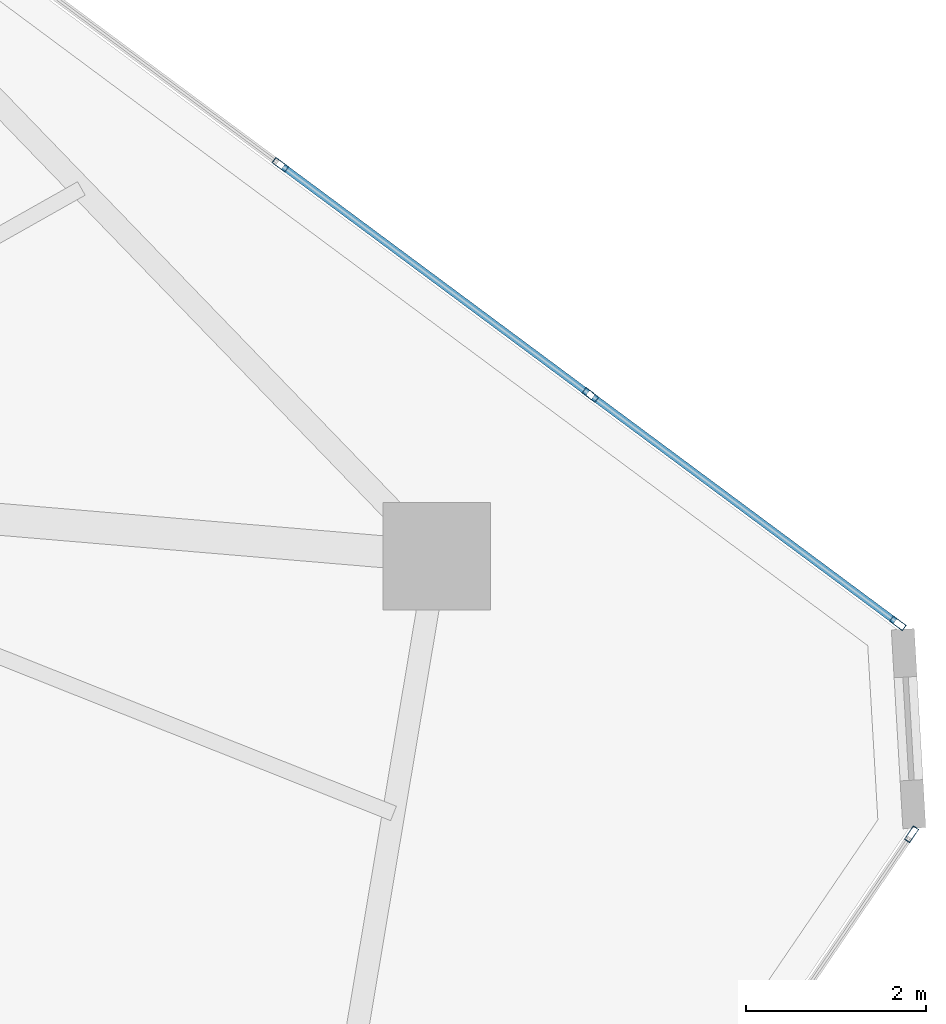
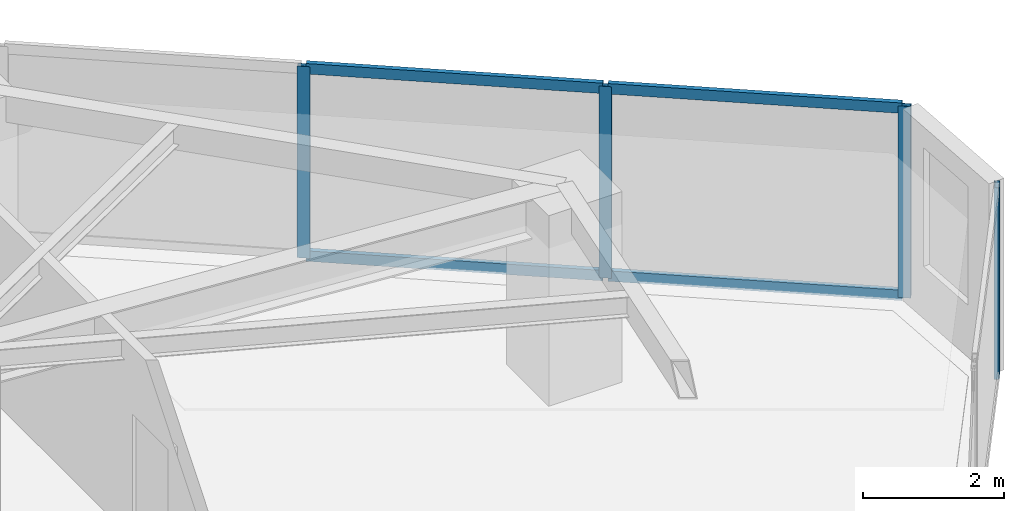
# One storey, part 13 of 22: 8 members, 2 elements without a shape of their own.
"""IFC4 building model written with IfcOpenShell, lengths in metres."""

from ifc_helpers import new_model, si_unit, direction, frame, origin, origin_2d, place, context, subcontext, project, spatial, hollow_rectangle, extrude, source, transform, mapped, material, layer, layer_set, material_profile, profile_set, type_object, type_shapes, element, aggregate, save


model = new_model("IFC4")

# Units and contexts
model_context = context("Model", 3, precision=1e-05, world=origin(), true_north=direction((0.0, 1.0)))
body_context = subcontext(model_context, "Body", "Model", "MODEL_VIEW")
ifc_project = project(units=[si_unit("LENGTHUNIT", "METRE"), si_unit("AREAUNIT", "SQUARE_METRE"), si_unit("VOLUMEUNIT", "CUBIC_METRE"), si_unit("PLANEANGLEUNIT", "RADIAN"), si_unit("MASSUNIT", "GRAM", prefix="KILO")], contexts=[model_context])

# Site, building, storey
site_placement = place(None, origin())
site = spatial("IfcSite", under=ifc_project, at=site_placement, CompositionType="ELEMENT")
building_placement = place(site_placement, origin())
building = spatial("IfcBuilding", under=site, at=building_placement, Name="Talar Marvaseh", CompositionType="ELEMENT")
storey_placement = place(building_placement, frame((0.0, 0.0, 125.39990234375)))
storey = spatial("IfcBuildingStorey", under=building, at=storey_placement, Name="L32", CompositionType="ELEMENT", Elevation=125.39990234375)

# Curtain wall, members
ifc_material = material(Name="Architectural Aluminium", Category="aluminium")
ifc_layer = layer(ifc_material, 0.199951171875)
ifc_layer_set = layer_set([ifc_layer], Name="Architectural Aluminium")
curtain_wall_type = type_object("IfcCurtainWallType", Name="Unitised Acoustic Library Curtain Wall Z2", PredefinedType="NOTDEFINED", material=ifc_layer_set)
curtain_wall_1_placement = place(storey_placement, origin())
curtain_wall_1 = element("IfcCurtainWall", 1, at=curtain_wall_1_placement, inside=storey, type_object=curtain_wall_type, Name="L32 Unitised Acoustic Library Curtain Wall Z2", PredefinedType="NOTDEFINED")
ifc_material_profile_1 = material_profile(ifc_material, hollow_rectangle(XDim=0.074951171875, YDim=0.179931640625, WallThickness=0.0048828125, at=origin_2d()), Name="RHS180x75x5")
ifc_profile_set_1 = profile_set([ifc_material_profile_1], Name="Architectural Aluminium")
member_type_1 = type_object("IfcMemberType", Name="Unitised Curtain Wall Standard Mullion RHS180x75x5", PredefinedType="MULLION", material=ifc_profile_set_1)
shared_shape_1 = source(origin(), body_context, "Body", "SweptSolid", [
    extrude(hollow_rectangle(XDim=0.074951171875, YDim=0.179931640625, WallThickness=0.0048828125, at=origin_2d()), origin(), (0.0, 0.0, 1.0), 3.31005859375),
])
type_shapes(member_type_1, [shared_shape_1])
member_1_placement = place(storey_placement, frame((41.30419921875, 40.433349609375, 0.0), z_axis=(0.0, 0.0, 1.0), x_axis=(0.596169880274, 0.802858314931, 0.0)))
member_1 = element("IfcMember", 2, at=member_1_placement, type_object=member_type_1, Name="CW-Z2 mullion 3", PredefinedType="MULLION", context=body_context, shape_type="MappedRepresentation", body=[
    mapped(shared_shape_1, transform((0.0, 0.0, 0.0), x_axis=(1.0, 0.0, 0.0), y_axis=(0.0, 1.0, 0.0), z_axis=(0.0, 0.0, 1.0), scale=1.0)),
])
member_2_placement = place(storey_placement, frame((44.7548828125, 37.87109375, 0.0), z_axis=(0.0, 0.0, 1.0), x_axis=(0.596169880274, 0.802858314931, 0.0)))
member_2 = element("IfcMember", 3, at=member_2_placement, type_object=member_type_1, Name="CW-Z2 mullion 4", PredefinedType="MULLION", context=body_context, shape_type="MappedRepresentation", body=[
    mapped(shared_shape_1, transform((0.0, 0.0, 0.0), x_axis=(1.0, 0.0, 0.0), y_axis=(0.0, 1.0, 0.0), z_axis=(0.0, 0.0, 1.0), scale=1.0)),
])
member_3_placement = place(storey_placement, frame((48.17529296875, 35.3310546875, 0.0), z_axis=(0.0, 0.0, 1.0), x_axis=(0.596169880274, 0.802858314931, 0.0)))
member_3 = element("IfcMember", 4, at=member_3_placement, type_object=member_type_1, Name="CW-Z2 mullion 5", PredefinedType="MULLION", context=body_context, shape_type="MappedRepresentation", body=[
    mapped(shared_shape_1, transform((0.0, 0.0, 0.0), x_axis=(1.0, 0.0, 0.0), y_axis=(0.0, 1.0, 0.0), z_axis=(0.0, 0.0, 1.0), scale=1.0)),
])

# Curtain wall, member
curtain_wall_2_placement = place(storey_placement, origin())
curtain_wall_2 = element("IfcCurtainWall", 5, at=curtain_wall_2_placement, inside=storey, type_object=curtain_wall_type, Name="L32 Unitised Acoustic Library Curtain Wall Z2", PredefinedType="NOTDEFINED")
member_4_placement = place(storey_placement, frame((48.32666015625, 32.98291015625, 0.0), z_axis=(0.0, 0.0, 1.0), x_axis=(0.826503816633, -0.562931115761, 0.0)))
member_4 = element("IfcMember", 6, at=member_4_placement, type_object=member_type_1, Name="CW-Z2 mullion 1", PredefinedType="MULLION", context=body_context, shape_type="MappedRepresentation", body=[
    mapped(shared_shape_1, transform((0.0, 0.0, 0.0), x_axis=(1.0, 0.0, 0.0), y_axis=(0.0, 1.0, 0.0), z_axis=(0.0, 0.0, 1.0), scale=1.0)),
])
aggregate(curtain_wall_2, [member_4])

# Member
ifc_material_profile_2 = material_profile(ifc_material, hollow_rectangle(XDim=0.074951171875, YDim=0.179931640625, WallThickness=0.0048828125, at=origin_2d()), Name="RHS180x75x5")
ifc_profile_set_2 = profile_set([ifc_material_profile_2], Name="Architectural Aluminium")
member_type_2 = type_object("IfcMemberType", Name="Unitised Curtain Wall Transom RHS180x75x5", PredefinedType="USERDEFINED", material=ifc_profile_set_2)
shared_shape_2 = source(origin(), body_context, "Body", "SweptSolid", [
    extrude(hollow_rectangle(XDim=0.074951171875, YDim=0.179931640625, WallThickness=0.0048828125, at=origin_2d()), origin(), (0.0, 0.0, 1.0), 4.185302734375),
])
member_5_placement = place(storey_placement, frame((44.784912109375, 37.8486328125, 0.03759765625), z_axis=(0.80287466792, -0.596147857174, 0.0), x_axis=(0.596147857174, 0.80287466792, 0.0)))
member_5 = element("IfcMember", 7, at=member_5_placement, type_object=member_type_2, Name="CW-Z2 transom 4.1", ObjectType="TRANSOM", PredefinedType="USERDEFINED", context=body_context, shape_type="MappedRepresentation", body=[
    mapped(shared_shape_2, transform((0.0, 0.0, 0.0), x_axis=(1.0, 0.0, 0.0), y_axis=(0.0, 1.0, 0.0), z_axis=(0.0, 0.0, 1.0), scale=1.0)),
])

member_6_placement = place(storey_placement, frame((44.784912109375, 37.8486328125, 3.272705078125), z_axis=(0.80287466792, -0.596147857174, 0.0), x_axis=(0.596147857174, 0.80287466792, 0.0)))
member_6 = element("IfcMember", 8, at=member_6_placement, type_object=member_type_2, Name="CW-Z2 transom 4.2", ObjectType="TRANSOM", PredefinedType="USERDEFINED", context=body_context, shape_type="MappedRepresentation", body=[
    mapped(shared_shape_2, transform((0.0, 0.0, 0.0), x_axis=(1.0, 0.0, 0.0), y_axis=(0.0, 1.0, 0.0), z_axis=(0.0, 0.0, 1.0), scale=1.0)),
])

shared_shape_3 = source(origin(), body_context, "Body", "SweptSolid", [
    extrude(hollow_rectangle(XDim=0.074951171875, YDim=0.179931640625, WallThickness=0.0048828125, at=origin_2d()), origin(), (0.0, 0.0, 1.0), 4.222900390625),
])
type_shapes(member_type_2, [shared_shape_2, shared_shape_3])
member_7_placement = place(storey_placement, frame((41.33447265625, 40.410888671875, 0.03759765625), z_axis=(0.802856115394, -0.596172842366, 0.0), x_axis=(0.596172842366, 0.802856115394, 0.0)))
member_7 = element("IfcMember", 9, at=member_7_placement, type_object=member_type_2, Name="CW-Z2 transom 3.1", ObjectType="TRANSOM", PredefinedType="USERDEFINED", context=body_context, shape_type="MappedRepresentation", body=[
    mapped(shared_shape_3, transform((0.0, 0.0, 0.0), x_axis=(1.0, 0.0, 0.0), y_axis=(0.0, 1.0, 0.0), z_axis=(0.0, 0.0, 1.0), scale=1.0)),
])

member_8_placement = place(storey_placement, frame((41.33447265625, 40.410888671875, 3.272705078125), z_axis=(0.802856115394, -0.596172842366, 0.0), x_axis=(0.596172842366, 0.802856115394, 0.0)))
member_8 = element("IfcMember", 10, at=member_8_placement, type_object=member_type_2, Name="CW-Z2 transom 3.2", ObjectType="TRANSOM", PredefinedType="USERDEFINED", context=body_context, shape_type="MappedRepresentation", body=[
    mapped(shared_shape_3, transform((0.0, 0.0, 0.0), x_axis=(1.0, 0.0, 0.0), y_axis=(0.0, 1.0, 0.0), z_axis=(0.0, 0.0, 1.0), scale=1.0)),
])

aggregate(curtain_wall_1, [member_1, member_2, member_3, member_7, member_8, member_5, member_6])

save(model, "model.ifc")
